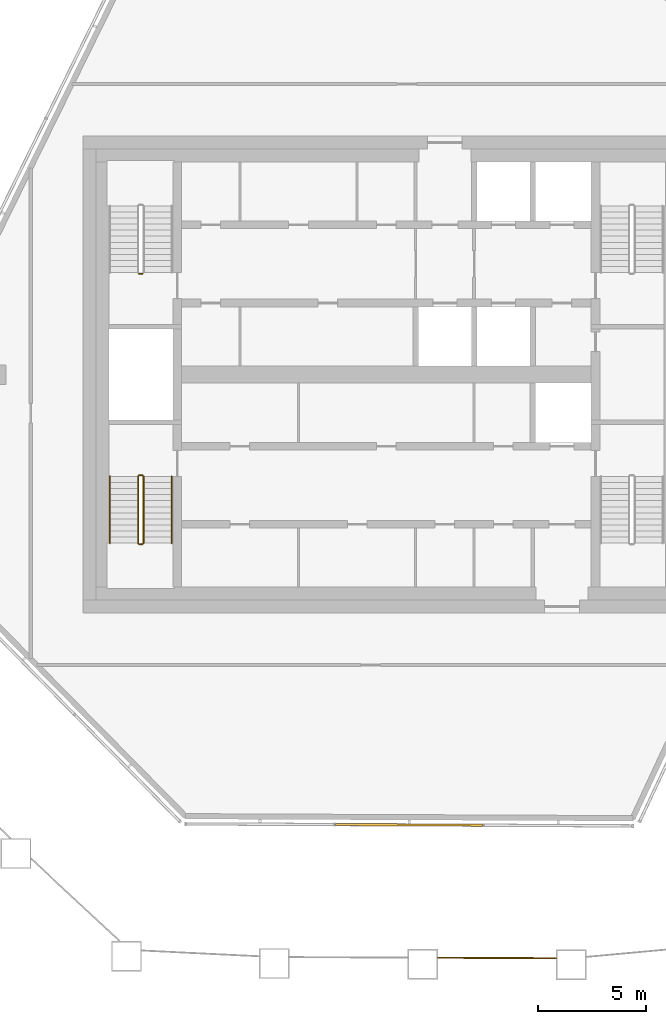
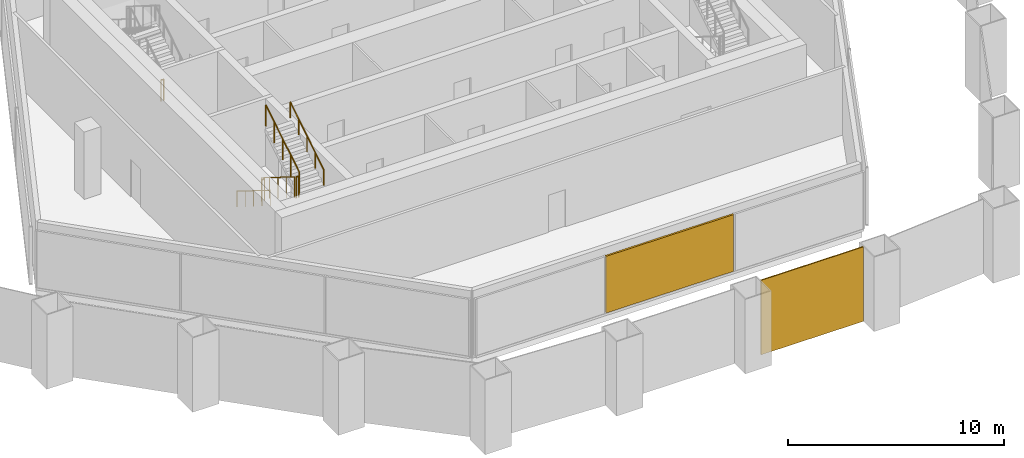
# One storey, part 13 of 18: 7 railings, 2 coverings, 1 element without a shape of its own.
"""IFC4 building model written with IfcOpenShell, lengths in metres."""

from ifc_helpers import new_model, si_unit, direction, frame, origin, origin_2d, place, context, subcontext, project, spatial, polyline, rectangle, circle, outline, extrude, material, layer, layer_set, type_object, element, aggregate, save


model = new_model("IFC4")

# Units and contexts
model_context = context("Model", 3, precision=1e-05, world=origin(), true_north=direction((0.0, 1.0)))
body_context = subcontext(model_context, "Body", "Model", "MODEL_VIEW")
ifc_project = project(units=[si_unit("LENGTHUNIT", "METRE"), si_unit("AREAUNIT", "SQUARE_METRE"), si_unit("VOLUMEUNIT", "CUBIC_METRE"), si_unit("PLANEANGLEUNIT", "RADIAN"), si_unit("MASSUNIT", "GRAM", prefix="KILO")], contexts=[model_context])

# Site, building, storey
site_placement = place(None, origin())
site = spatial("IfcSite", under=ifc_project, at=site_placement, CompositionType="ELEMENT")
building_placement = place(site_placement, origin())
building = spatial("IfcBuilding", under=site, at=building_placement, Name="Dongbaek Canopy Tower", CompositionType="ELEMENT")
storey_placement = place(building_placement, frame((0.0, 0.0, 363.199951171875)))
storey = spatial("IfcBuildingStorey", under=building, at=storey_placement, Name="L78", CompositionType="ELEMENT", Elevation=363.199951171875)

# Covering
ifc_material_1 = material(Name="Perforated pale metal")
ifc_layer_1 = layer(ifc_material_1, 0.06005859375)
ifc_layer_set_1 = layer_set([ifc_layer_1], Name="Crown plant screen")
covering_type_1 = type_object("IfcCoveringType", Name="Crown plant screen", PredefinedType="CLADDING", material=ifc_layer_set_1)
covering_1_placement = place(storey_placement, origin())
element("IfcCovering", 1, at=covering_1_placement, inside=storey, type_object=covering_type_1, Name="Crown plant screen 7 L78", PredefinedType="CLADDING", context=body_context, shape_type="SweptSolid", body=[
    extrude(outline(polyline([(2.383056640625, -26.93017578125), (2.383056640625, -26.8701171875), (7.833984375, -26.893798828125), (7.833984375, -26.953857421875), (2.383056640625, -26.93017578125)])), origin(), (0.0, 0.0, 1.0), 4.199951171875),
])

# Curtain wall, covering
ifc_material_2 = material(Name="Aluminium 6063-T6 pale anodised", Category="aluminium")
ifc_layer_2 = layer(ifc_material_2, 0.14990234375)
ifc_layer_set_2 = layer_set([ifc_layer_2], Name="CW-7 louvre curtain wall")
curtain_wall_type = type_object("IfcCurtainWallType", Name="CW-7 louvre curtain wall", PredefinedType="NOTDEFINED", material=ifc_layer_set_2)
curtain_wall_placement = place(storey_placement, origin())
curtain_wall = element("IfcCurtainWall", 2, at=curtain_wall_placement, inside=storey, type_object=curtain_wall_type, Name="CW-7 louvre wall L78 F0", PredefinedType="NOTDEFINED")
ifc_material_3 = material(Name="Aluminium 6063-T6 pale metal louvre blades", Category="aluminium")
ifc_layer_3 = layer(ifc_material_3, 0.10009765625)
ifc_layer_set_3 = layer_set([ifc_layer_3], Name="Louvre LV bank 100 x 3200")
covering_type_2 = type_object("IfcCoveringType", Name="Louvre LV bank 100 x 3200", PredefinedType="CLADDING", material=ifc_layer_set_3)
covering_2_placement = place(storey_placement, frame((1.04931640625, -20.772705078125, 0.30029296875), z_axis=(0.0, 0.0, 1.0), x_axis=(0.999990026762, -0.004466136555, 0.0)))
covering_2 = element("IfcCovering", 3, at=covering_2_placement, type_object=covering_type_2, Name="Louvre L78 F0.1.2", PredefinedType="CLADDING", context=body_context, shape_type="SweptSolid", body=[
    extrude(rectangle(XDim=6.787841796875, YDim=0.10009765625, at=origin_2d()), origin(), (0.0, 0.0, 1.0), 3.199951171875),
])
aggregate(curtain_wall, [covering_2])

# Railings
ifc_material_4 = material(Name="Stainless steel tube and balusters", Category="steel")
railing_type_1 = type_object("IfcRailingType", Name="Stair guard 1200", PredefinedType="GUARDRAIL", material=ifc_material_4)
railing_1_placement = place(storey_placement, frame((-11.25, 4.64990234375, 0.0)))
element("IfcRailing", 4, at=railing_1_placement, inside=storey, type_object=railing_type_1, Name="L78 ST-C stair guard 4", PredefinedType="GUARDRAIL", context=body_context, shape_type="SweptSolid", body=[
    extrude(circle(Radius=0.02392578125, at=origin_2d()), frame((0.0, 0.0, 1.17578125), z_axis=(-1.0, 0.0, 0.0), x_axis=(0.0, -1.0, 0.0)), (0.0, 0.0, 1.0), 0.14990234375),
    extrude(circle(Radius=0.02099609375, at=origin_2d()), origin(), (0.0, 0.0, 1.0), 1.15185546875),
    extrude(circle(Radius=0.02099609375, at=origin_2d()), frame((-0.14990234375, 0.0, 0.0)), (0.0, 0.0, 1.0), 1.15185546875),
])
railing_2_placement = place(storey_placement, frame((-11.449951171875, -4.699951171875, 0.175048828125)))
element("IfcRailing", 5, at=railing_2_placement, inside=storey, type_object=railing_type_1, Name="L78 ST-D stair guard 1", PredefinedType="GUARDRAIL", context=body_context, shape_type="SweptSolid", body=[
    extrude(circle(Radius=0.02392578125, at=origin_2d()), frame((0.0, 0.0, 1.17578125), z_axis=(0.0, -0.847998304005, 0.529998940003), x_axis=(1.0, 0.0, 0.0)), (0.0, 0.0, 1.0), 3.632080078125),
    extrude(circle(Radius=0.02099609375, at=origin_2d()), origin(), (0.0, 0.0, 1.0), 1.15185546875),
    extrude(circle(Radius=0.02099609375, at=origin_2d()), frame((0.0, -0.77001953125, 0.481201171875)), (0.0, 0.0, 1.0), 1.15185546875),
    extrude(circle(Radius=0.02099609375, at=origin_2d()), frame((0.0, -1.5400390625, 0.96240234375)), (0.0, 0.0, 1.0), 1.15185546875),
    extrude(circle(Radius=0.02099609375, at=origin_2d()), frame((0.0, -2.31005859375, 1.44384765625)), (0.0, 0.0, 1.0), 1.15185546875),
    extrude(circle(Radius=0.02099609375, at=origin_2d()), frame((0.0, -3.080078125, 1.925048828125)), (0.0, 0.0, 1.0), 1.15185546875),
])
railing_3_placement = place(storey_placement, frame((-11.39990234375, -7.830078125, 2.10009765625)))
element("IfcRailing", 6, at=railing_3_placement, inside=storey, type_object=railing_type_1, Name="L78 ST-D stair guard 2", PredefinedType="GUARDRAIL", context=body_context, shape_type="SweptSolid", body=[
    extrude(circle(Radius=0.02392578125, at=origin_2d()), frame((0.0, 0.0, 1.17578125), z_axis=(1.0, 0.0, 0.0), x_axis=(0.0, 1.0, 0.0)), (0.0, 0.0, 1.0), 0.14990234375),
    extrude(circle(Radius=0.02099609375, at=origin_2d()), origin(), (0.0, 0.0, 1.0), 1.15185546875),
    extrude(circle(Radius=0.02099609375, at=origin_2d()), frame((0.14990234375, 0.0, 0.0)), (0.0, 0.0, 1.0), 1.15185546875),
])
railing_4_placement = place(storey_placement, frame((-11.199951171875, -7.780029296875, 2.275146484375)))
element("IfcRailing", 7, at=railing_4_placement, inside=storey, type_object=railing_type_1, Name="L78 ST-D stair guard 3", PredefinedType="GUARDRAIL", context=body_context, shape_type="SweptSolid", body=[
    extrude(circle(Radius=0.02392578125, at=origin_2d()), frame((0.0, 0.0, 1.17578125), z_axis=(0.0, 0.848028513186, 0.529950602248), x_axis=(-1.0, 0.0, 0.0)), (0.0, 0.0, 1.0), 3.632080078125),
    extrude(circle(Radius=0.02099609375, at=origin_2d()), origin(), (0.0, 0.0, 1.0), 1.15185546875),
    extrude(circle(Radius=0.02099609375, at=origin_2d()), frame((0.0, 0.77001953125, 0.481201171875)), (0.0, 0.0, 1.0), 1.15185546875),
    extrude(circle(Radius=0.02099609375, at=origin_2d()), frame((0.0, 1.5400390625, 0.96240234375)), (0.0, 0.0, 1.0), 1.15185546875),
    extrude(circle(Radius=0.02099609375, at=origin_2d()), frame((0.0, 2.31005859375, 1.443603515625)), (0.0, 0.0, 1.0), 1.15185546875),
    extrude(circle(Radius=0.02099609375, at=origin_2d()), frame((0.0, 3.080078125, 1.9248046875)), (0.0, 0.0, 1.0), 1.15185546875),
])
railing_5_placement = place(storey_placement, frame((-11.39990234375, -4.64990234375, 0.0)))
element("IfcRailing", 8, at=railing_5_placement, inside=storey, type_object=railing_type_1, Name="L78 ST-D stair guard 4", PredefinedType="GUARDRAIL", context=body_context, shape_type="SweptSolid", body=[
    extrude(circle(Radius=0.02392578125, at=origin_2d()), frame((0.0, 0.0, 1.17578125), z_axis=(1.0, 0.0, 0.0), x_axis=(0.0, 1.0, 0.0)), (0.0, 0.0, 1.0), 0.14990234375),
    extrude(circle(Radius=0.02099609375, at=origin_2d()), origin(), (0.0, 0.0, 1.0), 1.15185546875),
    extrude(circle(Radius=0.02099609375, at=origin_2d()), frame((0.14990234375, 0.0, 0.0)), (0.0, 0.0, 1.0), 1.15185546875),
])
ifc_material_5 = material(Name="Stainless steel tube", Category="steel")
railing_type_2 = type_object("IfcRailingType", Name="Stair handrail 900", PredefinedType="HANDRAIL", material=ifc_material_5)
railing_6_placement = place(storey_placement, frame((-12.75, -4.699951171875, 0.175048828125)))
element("IfcRailing", 9, at=railing_6_placement, inside=storey, type_object=railing_type_2, Name="L78 ST-D stair handrail 1", PredefinedType="HANDRAIL", context=body_context, shape_type="SweptSolid", body=[
    extrude(circle(Radius=0.02392578125, at=origin_2d()), frame((0.0, 0.0, 0.8759765625), z_axis=(0.0, -0.847998304005, 0.529998940003), x_axis=(1.0, 0.0, 0.0)), (0.0, 0.0, 1.0), 3.632080078125),
    extrude(circle(Radius=0.02099609375, at=origin_2d()), origin(), (0.0, 0.0, 1.0), 0.851806640625),
    extrude(circle(Radius=0.02099609375, at=origin_2d()), frame((0.0, -0.77001953125, 0.481201171875)), (0.0, 0.0, 1.0), 0.851806640625),
    extrude(circle(Radius=0.02099609375, at=origin_2d()), frame((0.0, -1.5400390625, 0.96240234375)), (0.0, 0.0, 1.0), 0.851806640625),
    extrude(circle(Radius=0.02099609375, at=origin_2d()), frame((0.0, -2.31005859375, 1.44384765625)), (0.0, 0.0, 1.0), 0.851806640625),
    extrude(circle(Radius=0.02099609375, at=origin_2d()), frame((0.0, -3.080078125, 1.925048828125)), (0.0, 0.0, 1.0), 0.851806640625),
])
railing_7_placement = place(storey_placement, frame((-9.89990234375, -7.780029296875, 2.275146484375)))
element("IfcRailing", 10, at=railing_7_placement, inside=storey, type_object=railing_type_2, Name="L78 ST-D stair handrail 2", PredefinedType="HANDRAIL", context=body_context, shape_type="SweptSolid", body=[
    extrude(circle(Radius=0.02392578125, at=origin_2d()), frame((0.0, 0.0, 0.8759765625), z_axis=(0.0, 0.848028513186, 0.529950602248), x_axis=(-1.0, 0.0, 0.0)), (0.0, 0.0, 1.0), 3.632080078125),
    extrude(circle(Radius=0.02099609375, at=origin_2d()), origin(), (0.0, 0.0, 1.0), 0.851806640625),
    extrude(circle(Radius=0.02099609375, at=origin_2d()), frame((0.0, 0.77001953125, 0.481201171875)), (0.0, 0.0, 1.0), 0.851806640625),
    extrude(circle(Radius=0.02099609375, at=origin_2d()), frame((0.0, 1.5400390625, 0.96240234375)), (0.0, 0.0, 1.0), 0.851806640625),
    extrude(circle(Radius=0.02099609375, at=origin_2d()), frame((0.0, 2.31005859375, 1.443603515625)), (0.0, 0.0, 1.0), 0.851806640625),
    extrude(circle(Radius=0.02099609375, at=origin_2d()), frame((0.0, 3.080078125, 1.9248046875)), (0.0, 0.0, 1.0), 0.851806640625),
])

save(model, "model.ifc")
